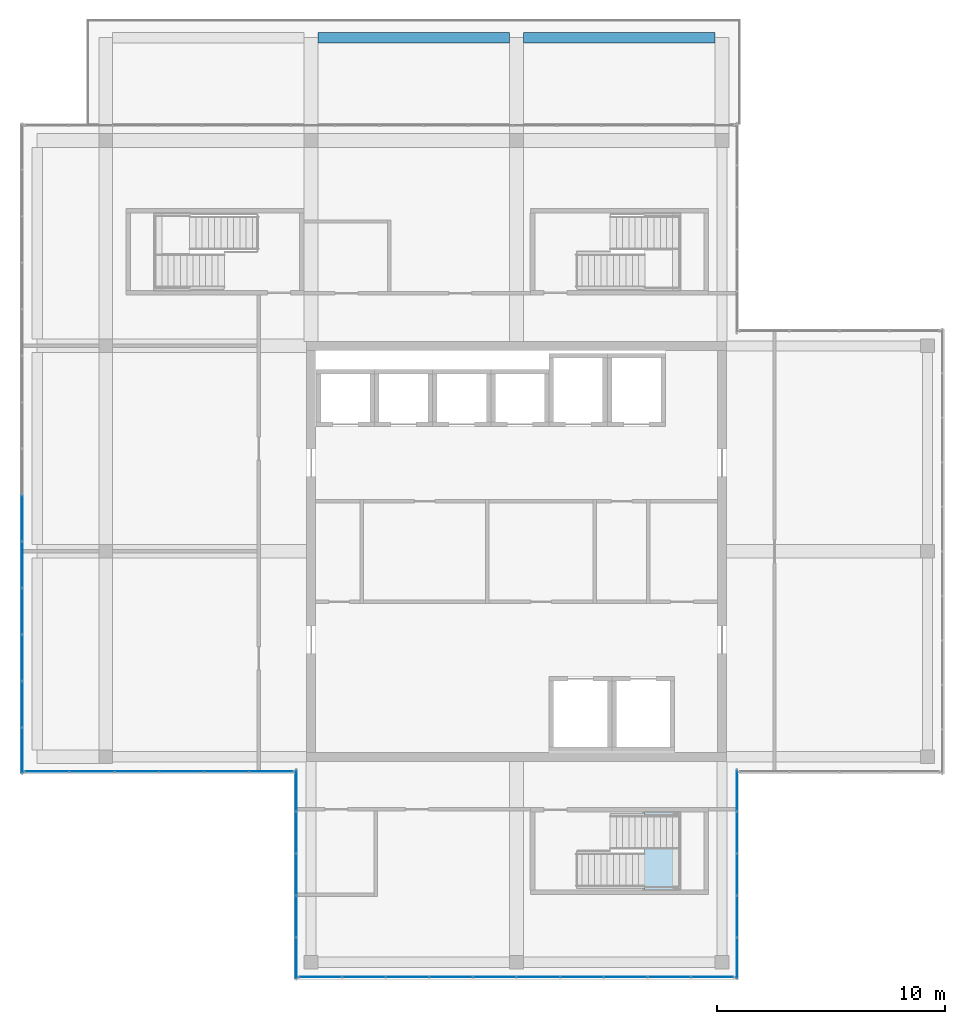
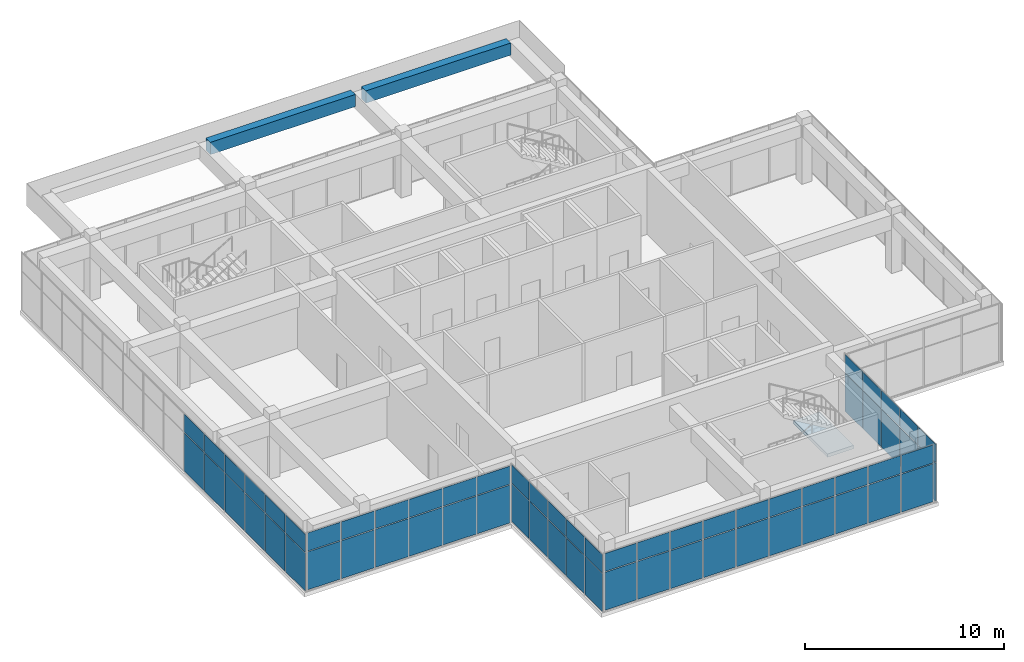
# One storey, part 29 of 35: 64 plates, 2 beams, 1 slab, 6 elements without a shape of their own.
"""IFC4 building model written with IfcOpenShell, lengths in metres."""

from ifc_helpers import new_model, si_unit, direction, frame, origin, origin_2d, place, context, subcontext, project, spatial, polyline, rectangle, outline, extrude, material, layer, layer_set, material_profile, profile_set, type_object, element, aggregate, save


model = new_model("IFC4")

# Units and contexts
model_context = context("Model", 3, precision=1e-05, world=origin(), true_north=direction((0.0, 1.0)))
body_context = subcontext(model_context, "Body", "Model", "MODEL_VIEW")
ifc_project = project(units=[si_unit("LENGTHUNIT", "METRE"), si_unit("AREAUNIT", "SQUARE_METRE"), si_unit("VOLUMEUNIT", "CUBIC_METRE"), si_unit("PLANEANGLEUNIT", "RADIAN"), si_unit("MASSUNIT", "GRAM", prefix="KILO")], contexts=[model_context])

# Site, building, storey
site_placement = place(None, origin())
site = spatial("IfcSite", under=ifc_project, at=site_placement, CompositionType="ELEMENT")
building_placement = place(site_placement, origin())
building = spatial("IfcBuilding", under=site, at=building_placement, Name="Tuart Plaza Theatre", CompositionType="ELEMENT")
storey_placement = place(building_placement, frame((0.0, 0.0, 49.5)))
storey = spatial("IfcBuildingStorey", under=building, at=storey_placement, Name="L12", CompositionType="ELEMENT", Elevation=49.5)

# Beams
ifc_material_1 = material(Name="Concrete N40 (40 MPa)", Category="concrete")
ifc_material_profile = material_profile(ifc_material_1, rectangle(XDim=0.449951171875, YDim=0.75, at=origin_2d()), Name="BEAM 450x750 Concrete N40 (40 MPa)")
ifc_profile_set = profile_set([ifc_material_profile], Name="Concrete N40 (40 MPa)")
beam_type = type_object("IfcBeamType", Name="BEAM 450x750 Concrete N40 (40 MPa)", PredefinedType="BEAM", material=ifc_profile_set)
for number, where, z_axis, x_axis, name in (
    (1, (123.300048828125, 96.5, 3.205078125), (1.0, 0.0, 0.0), (0.0, 1.0, 0.0), "RB314"),
    (2, (132.300048828125, 96.5, 3.205078125), (1.0, 0.0, 0.0), (0.0, 1.0, 0.0), "RB316"),
):
    element("IfcBeam", number, at=place(storey_placement, frame(where, z_axis=z_axis, x_axis=x_axis)), inside=storey, type_object=beam_type, Name=name, PredefinedType="BEAM", context=body_context, shape_type="SweptSolid", body=[
        extrude(rectangle(XDim=0.449951171875, YDim=0.75, at=origin_2d()), origin(), (0.0, 0.0, 1.0), 8.39990234375),
    ])

# Curtain wall, plates
ifc_material_2 = material(Name="Aluminium and glass", Category="aluminium")
ifc_layer_1 = layer(ifc_material_2, 0.10009765625)
ifc_layer_set_1 = layer_set([ifc_layer_1], Name="CURTAIN WALL 2000 module")
curtain_wall_type = type_object("IfcCurtainWallType", Name="CURTAIN WALL 2000 module", PredefinedType="NOTDEFINED", material=ifc_layer_set_1)
curtain_wall_1_placement = place(storey_placement, origin())
curtain_wall_1 = element("IfcCurtainWall", 3, at=curtain_wall_1_placement, inside=storey, type_object=curtain_wall_type, Name="CW100", PredefinedType="NOTDEFINED")
ifc_material_3 = material(Name="Glass", Category="glass")
ifc_layer_2 = layer(ifc_material_3, 0.028076171875)
ifc_layer_set_2 = layer_set([ifc_layer_2], Name="CURTAIN PANEL double glazed 28")
plate_type = type_object("IfcPlateType", Name="CURTAIN PANEL double glazed 28", PredefinedType="CURTAIN_PANEL", material=ifc_layer_set_2)
plate_1_placement = place(storey_placement, frame((141.64990234375, 56.1826171875, 0.0498046875), z_axis=(0.0, 0.0, 1.0), x_axis=(0.0, 1.0, 0.0)))
plate_1 = element("IfcPlate", 4, at=plate_1_placement, type_object=plate_type, Name="CW100 panel 1.1", PredefinedType="CURTAIN_PANEL", context=body_context, shape_type="SweptSolid", body=[
    extrude(rectangle(XDim=1.764892578125, YDim=0.028076171875, at=origin_2d()), origin(), (0.0, 0.0, 1.0), 2.324951171875),
])
plate_2_placement = place(storey_placement, frame((141.64990234375, 56.1826171875, 2.425048828125), z_axis=(0.0, 0.0, 1.0), x_axis=(0.0, 1.0, 0.0)))
plate_2 = element("IfcPlate", 5, at=plate_2_placement, type_object=plate_type, Name="CW100 panel 1.2", PredefinedType="CURTAIN_PANEL", context=body_context, shape_type="SweptSolid", body=[
    extrude(rectangle(XDim=1.764892578125, YDim=0.028076171875, at=origin_2d()), origin(), (0.0, 0.0, 1.0), 1.10498046875),
])
plate_3_placement = place(storey_placement, frame((141.64990234375, 58.010009765625, 0.0498046875), z_axis=(0.0, 0.0, 1.0), x_axis=(0.0, 1.0, 0.0)))
plate_3 = element("IfcPlate", 6, at=plate_3_placement, type_object=plate_type, Name="CW100 panel 2.1", PredefinedType="CURTAIN_PANEL", context=body_context, shape_type="SweptSolid", body=[
    extrude(rectangle(XDim=1.7900390625, YDim=0.028076171875, at=origin_2d()), origin(), (0.0, 0.0, 1.0), 2.324951171875),
])
plate_4_placement = place(storey_placement, frame((141.64990234375, 58.010009765625, 2.425048828125), z_axis=(0.0, 0.0, 1.0), x_axis=(0.0, 1.0, 0.0)))
plate_4 = element("IfcPlate", 7, at=plate_4_placement, type_object=plate_type, Name="CW100 panel 2.2", PredefinedType="CURTAIN_PANEL", context=body_context, shape_type="SweptSolid", body=[
    extrude(rectangle(XDim=1.7900390625, YDim=0.028076171875, at=origin_2d()), origin(), (0.0, 0.0, 1.0), 1.10498046875),
])
plate_5_placement = place(storey_placement, frame((141.64990234375, 59.85009765625, 0.0498046875), z_axis=(0.0, 0.0, 1.0), x_axis=(0.0, 1.0, 0.0)))
plate_5 = element("IfcPlate", 8, at=plate_5_placement, type_object=plate_type, Name="CW100 panel 3.1", PredefinedType="CURTAIN_PANEL", context=body_context, shape_type="SweptSolid", body=[
    extrude(rectangle(XDim=1.7900390625, YDim=0.028076171875, at=origin_2d()), origin(), (0.0, 0.0, 1.0), 2.324951171875),
])
plate_6_placement = place(storey_placement, frame((141.64990234375, 59.85009765625, 2.425048828125), z_axis=(0.0, 0.0, 1.0), x_axis=(0.0, 1.0, 0.0)))
plate_6 = element("IfcPlate", 9, at=plate_6_placement, type_object=plate_type, Name="CW100 panel 3.2", PredefinedType="CURTAIN_PANEL", context=body_context, shape_type="SweptSolid", body=[
    extrude(rectangle(XDim=1.7900390625, YDim=0.028076171875, at=origin_2d()), origin(), (0.0, 0.0, 1.0), 1.10498046875),
])
plate_7_placement = place(storey_placement, frame((141.64990234375, 61.68994140625, 0.0498046875), z_axis=(0.0, 0.0, 1.0), x_axis=(0.0, 1.0, 0.0)))
plate_7 = element("IfcPlate", 10, at=plate_7_placement, type_object=plate_type, Name="CW100 panel 4.1", PredefinedType="CURTAIN_PANEL", context=body_context, shape_type="SweptSolid", body=[
    extrude(rectangle(XDim=1.7900390625, YDim=0.028076171875, at=origin_2d()), origin(), (0.0, 0.0, 1.0), 2.324951171875),
])
plate_8_placement = place(storey_placement, frame((141.64990234375, 61.68994140625, 2.425048828125), z_axis=(0.0, 0.0, 1.0), x_axis=(0.0, 1.0, 0.0)))
plate_8 = element("IfcPlate", 11, at=plate_8_placement, type_object=plate_type, Name="CW100 panel 4.2", PredefinedType="CURTAIN_PANEL", context=body_context, shape_type="SweptSolid", body=[
    extrude(rectangle(XDim=1.7900390625, YDim=0.028076171875, at=origin_2d()), origin(), (0.0, 0.0, 1.0), 1.10498046875),
])
plate_9_placement = place(storey_placement, frame((141.64990234375, 63.517578125, 0.0498046875), z_axis=(0.0, 0.0, 1.0), x_axis=(0.0, 1.0, 0.0)))
plate_9 = element("IfcPlate", 12, at=plate_9_placement, type_object=plate_type, Name="CW100 panel 5.1", PredefinedType="CURTAIN_PANEL", context=body_context, shape_type="SweptSolid", body=[
    extrude(rectangle(XDim=1.764892578125, YDim=0.028076171875, at=origin_2d()), origin(), (0.0, 0.0, 1.0), 2.324951171875),
])
plate_10_placement = place(storey_placement, frame((141.64990234375, 63.517578125, 2.425048828125), z_axis=(0.0, 0.0, 1.0), x_axis=(0.0, 1.0, 0.0)))
plate_10 = element("IfcPlate", 13, at=plate_10_placement, type_object=plate_type, Name="CW100 panel 5.2", PredefinedType="CURTAIN_PANEL", context=body_context, shape_type="SweptSolid", body=[
    extrude(rectangle(XDim=1.764892578125, YDim=0.028076171875, at=origin_2d()), origin(), (0.0, 0.0, 1.0), 1.10498046875),
])
aggregate(curtain_wall_1, [plate_1, plate_2, plate_3, plate_4, plate_5, plate_6, plate_7, plate_8, plate_9, plate_10])

curtain_wall_2_placement = place(storey_placement, origin())
curtain_wall_2 = element("IfcCurtainWall", 14, at=curtain_wall_2_placement, inside=storey, type_object=curtain_wall_type, Name="CW106", PredefinedType="NOTDEFINED")
plate_11_placement = place(storey_placement, frame((110.35009765625, 75.446533203125, 0.0498046875), z_axis=(0.0, 0.0, 1.0), x_axis=(0.0, -1.0, 0.0)))
plate_11 = element("IfcPlate", 15, at=plate_11_placement, type_object=plate_type, Name="CW106 panel 9.1", PredefinedType="CURTAIN_PANEL", context=body_context, shape_type="SweptSolid", body=[
    extrude(rectangle(XDim=1.985595703125, YDim=0.028076171875, at=origin_2d()), origin(), (0.0, 0.0, 1.0), 2.324951171875),
])
plate_12_placement = place(storey_placement, frame((110.35009765625, 75.446533203125, 2.425048828125), z_axis=(0.0, 0.0, 1.0), x_axis=(0.0, -1.0, 0.0)))
plate_12 = element("IfcPlate", 16, at=plate_12_placement, type_object=plate_type, Name="CW106 panel 9.2", PredefinedType="CURTAIN_PANEL", context=body_context, shape_type="SweptSolid", body=[
    extrude(rectangle(XDim=1.985595703125, YDim=0.028076171875, at=origin_2d()), origin(), (0.0, 0.0, 1.0), 1.10498046875),
])
plate_13_placement = place(storey_placement, frame((110.35009765625, 73.41064453125, 0.0498046875), z_axis=(0.0, 0.0, 1.0), x_axis=(0.0, -1.0, 0.0)))
plate_13 = element("IfcPlate", 17, at=plate_13_placement, type_object=plate_type, Name="CW106 panel 10.1", PredefinedType="CURTAIN_PANEL", context=body_context, shape_type="SweptSolid", body=[
    extrude(rectangle(XDim=1.985595703125, YDim=0.028076171875, at=origin_2d()), origin(), (0.0, 0.0, 1.0), 2.324951171875),
])
plate_14_placement = place(storey_placement, frame((110.35009765625, 73.41064453125, 2.425048828125), z_axis=(0.0, 0.0, 1.0), x_axis=(0.0, -1.0, 0.0)))
plate_14 = element("IfcPlate", 18, at=plate_14_placement, type_object=plate_type, Name="CW106 panel 10.2", PredefinedType="CURTAIN_PANEL", context=body_context, shape_type="SweptSolid", body=[
    extrude(rectangle(XDim=1.985595703125, YDim=0.028076171875, at=origin_2d()), origin(), (0.0, 0.0, 1.0), 1.10498046875),
])
plate_15_placement = place(storey_placement, frame((110.35009765625, 71.375, 0.0498046875), z_axis=(0.0, 0.0, 1.0), x_axis=(0.0, -1.0, 0.0)))
plate_15 = element("IfcPlate", 19, at=plate_15_placement, type_object=plate_type, Name="CW106 panel 11.1", PredefinedType="CURTAIN_PANEL", context=body_context, shape_type="SweptSolid", body=[
    extrude(rectangle(XDim=1.985595703125, YDim=0.028076171875, at=origin_2d()), origin(), (0.0, 0.0, 1.0), 2.324951171875),
])
plate_16_placement = place(storey_placement, frame((110.35009765625, 71.375, 2.425048828125), z_axis=(0.0, 0.0, 1.0), x_axis=(0.0, -1.0, 0.0)))
plate_16 = element("IfcPlate", 20, at=plate_16_placement, type_object=plate_type, Name="CW106 panel 11.2", PredefinedType="CURTAIN_PANEL", context=body_context, shape_type="SweptSolid", body=[
    extrude(rectangle(XDim=1.985595703125, YDim=0.028076171875, at=origin_2d()), origin(), (0.0, 0.0, 1.0), 1.10498046875),
])
plate_17_placement = place(storey_placement, frame((110.35009765625, 69.33935546875, 0.0498046875), z_axis=(0.0, 0.0, 1.0), x_axis=(0.0, -1.0, 0.0)))
plate_17 = element("IfcPlate", 21, at=plate_17_placement, type_object=plate_type, Name="CW106 panel 12.1", PredefinedType="CURTAIN_PANEL", context=body_context, shape_type="SweptSolid", body=[
    extrude(rectangle(XDim=1.985595703125, YDim=0.028076171875, at=origin_2d()), origin(), (0.0, 0.0, 1.0), 2.324951171875),
])
plate_18_placement = place(storey_placement, frame((110.35009765625, 69.33935546875, 2.425048828125), z_axis=(0.0, 0.0, 1.0), x_axis=(0.0, -1.0, 0.0)))
plate_18 = element("IfcPlate", 22, at=plate_18_placement, type_object=plate_type, Name="CW106 panel 12.2", PredefinedType="CURTAIN_PANEL", context=body_context, shape_type="SweptSolid", body=[
    extrude(rectangle(XDim=1.985595703125, YDim=0.028076171875, at=origin_2d()), origin(), (0.0, 0.0, 1.0), 1.10498046875),
])
plate_19_placement = place(storey_placement, frame((110.35009765625, 67.303466796875, 0.0498046875), z_axis=(0.0, 0.0, 1.0), x_axis=(0.0, -1.0, 0.0)))
plate_19 = element("IfcPlate", 23, at=plate_19_placement, type_object=plate_type, Name="CW106 panel 13.1", PredefinedType="CURTAIN_PANEL", context=body_context, shape_type="SweptSolid", body=[
    extrude(rectangle(XDim=1.985595703125, YDim=0.028076171875, at=origin_2d()), origin(), (0.0, 0.0, 1.0), 2.324951171875),
])
plate_20_placement = place(storey_placement, frame((110.35009765625, 67.303466796875, 2.425048828125), z_axis=(0.0, 0.0, 1.0), x_axis=(0.0, -1.0, 0.0)))
plate_20 = element("IfcPlate", 24, at=plate_20_placement, type_object=plate_type, Name="CW106 panel 13.2", PredefinedType="CURTAIN_PANEL", context=body_context, shape_type="SweptSolid", body=[
    extrude(rectangle(XDim=1.985595703125, YDim=0.028076171875, at=origin_2d()), origin(), (0.0, 0.0, 1.0), 1.10498046875),
])
plate_21_placement = place(storey_placement, frame((110.35009765625, 65.2802734375, 0.0498046875), z_axis=(0.0, 0.0, 1.0), x_axis=(0.0, -1.0, 0.0)))
plate_21 = element("IfcPlate", 25, at=plate_21_placement, type_object=plate_type, Name="CW106 panel 14.1", PredefinedType="CURTAIN_PANEL", context=body_context, shape_type="SweptSolid", body=[
    extrude(rectangle(XDim=1.960693359375, YDim=0.028076171875, at=origin_2d()), origin(), (0.0, 0.0, 1.0), 2.324951171875),
])
plate_22_placement = place(storey_placement, frame((110.35009765625, 65.2802734375, 2.425048828125), z_axis=(0.0, 0.0, 1.0), x_axis=(0.0, -1.0, 0.0)))
plate_22 = element("IfcPlate", 26, at=plate_22_placement, type_object=plate_type, Name="CW106 panel 14.2", PredefinedType="CURTAIN_PANEL", context=body_context, shape_type="SweptSolid", body=[
    extrude(rectangle(XDim=1.960693359375, YDim=0.028076171875, at=origin_2d()), origin(), (0.0, 0.0, 1.0), 1.10498046875),
])
aggregate(curtain_wall_2, [plate_11, plate_12, plate_13, plate_14, plate_15, plate_16, plate_17, plate_18, plate_19, plate_20, plate_21, plate_22])

curtain_wall_3_placement = place(storey_placement, origin())
curtain_wall_3 = element("IfcCurtainWall", 27, at=curtain_wall_3_placement, inside=storey, type_object=curtain_wall_type, Name="CW108", PredefinedType="NOTDEFINED")
plate_23_placement = place(storey_placement, frame((111.44580078125, 64.35009765625, 0.0498046875), z_axis=(0.0, 0.0, 1.0), x_axis=(1.0, 0.0, 0.0)))
plate_23 = element("IfcPlate", 28, at=plate_23_placement, type_object=plate_type, Name="CW108 panel 1.1", PredefinedType="CURTAIN_PANEL", context=body_context, shape_type="SweptSolid", body=[
    extrude(rectangle(XDim=1.8916015625, YDim=0.028076171875, at=origin_2d()), origin(), (0.0, 0.0, 1.0), 2.324951171875),
])
plate_24_placement = place(storey_placement, frame((111.44580078125, 64.35009765625, 2.425048828125), z_axis=(0.0, 0.0, 1.0), x_axis=(1.0, 0.0, 0.0)))
plate_24 = element("IfcPlate", 29, at=plate_24_placement, type_object=plate_type, Name="CW108 panel 1.2", PredefinedType="CURTAIN_PANEL", context=body_context, shape_type="SweptSolid", body=[
    extrude(rectangle(XDim=1.8916015625, YDim=0.028076171875, at=origin_2d()), origin(), (0.0, 0.0, 1.0), 1.10498046875),
])
plate_25_placement = place(storey_placement, frame((113.39990234375, 64.35009765625, 0.0498046875), z_axis=(0.0, 0.0, 1.0), x_axis=(1.0, 0.0, 0.0)))
plate_25 = element("IfcPlate", 30, at=plate_25_placement, type_object=plate_type, Name="CW108 panel 2.1", PredefinedType="CURTAIN_PANEL", context=body_context, shape_type="SweptSolid", body=[
    extrude(rectangle(XDim=1.916748046875, YDim=0.028076171875, at=origin_2d()), origin(), (0.0, 0.0, 1.0), 2.324951171875),
])
plate_26_placement = place(storey_placement, frame((113.39990234375, 64.35009765625, 2.425048828125), z_axis=(0.0, 0.0, 1.0), x_axis=(1.0, 0.0, 0.0)))
plate_26 = element("IfcPlate", 31, at=plate_26_placement, type_object=plate_type, Name="CW108 panel 2.2", PredefinedType="CURTAIN_PANEL", context=body_context, shape_type="SweptSolid", body=[
    extrude(rectangle(XDim=1.916748046875, YDim=0.028076171875, at=origin_2d()), origin(), (0.0, 0.0, 1.0), 1.10498046875),
])
plate_27_placement = place(storey_placement, frame((115.36669921875, 64.35009765625, 0.0498046875), z_axis=(0.0, 0.0, 1.0), x_axis=(1.0, 0.0, 0.0)))
plate_27 = element("IfcPlate", 32, at=plate_27_placement, type_object=plate_type, Name="CW108 panel 3.1", PredefinedType="CURTAIN_PANEL", context=body_context, shape_type="SweptSolid", body=[
    extrude(rectangle(XDim=1.916748046875, YDim=0.028076171875, at=origin_2d()), origin(), (0.0, 0.0, 1.0), 2.324951171875),
])
plate_28_placement = place(storey_placement, frame((115.36669921875, 64.35009765625, 2.425048828125), z_axis=(0.0, 0.0, 1.0), x_axis=(1.0, 0.0, 0.0)))
plate_28 = element("IfcPlate", 33, at=plate_28_placement, type_object=plate_type, Name="CW108 panel 3.2", PredefinedType="CURTAIN_PANEL", context=body_context, shape_type="SweptSolid", body=[
    extrude(rectangle(XDim=1.916748046875, YDim=0.028076171875, at=origin_2d()), origin(), (0.0, 0.0, 1.0), 1.10498046875),
])
plate_29_placement = place(storey_placement, frame((117.333251953125, 64.35009765625, 0.0498046875), z_axis=(0.0, 0.0, 1.0), x_axis=(1.0, 0.0, 0.0)))
plate_29 = element("IfcPlate", 34, at=plate_29_placement, type_object=plate_type, Name="CW108 panel 4.1", PredefinedType="CURTAIN_PANEL", context=body_context, shape_type="SweptSolid", body=[
    extrude(rectangle(XDim=1.916748046875, YDim=0.028076171875, at=origin_2d()), origin(), (0.0, 0.0, 1.0), 2.324951171875),
])
plate_30_placement = place(storey_placement, frame((117.333251953125, 64.35009765625, 2.425048828125), z_axis=(0.0, 0.0, 1.0), x_axis=(1.0, 0.0, 0.0)))
plate_30 = element("IfcPlate", 35, at=plate_30_placement, type_object=plate_type, Name="CW108 panel 4.2", PredefinedType="CURTAIN_PANEL", context=body_context, shape_type="SweptSolid", body=[
    extrude(rectangle(XDim=1.916748046875, YDim=0.028076171875, at=origin_2d()), origin(), (0.0, 0.0, 1.0), 1.10498046875),
])
plate_31_placement = place(storey_placement, frame((119.300048828125, 64.35009765625, 0.0498046875), z_axis=(0.0, 0.0, 1.0), x_axis=(1.0, 0.0, 0.0)))
plate_31 = element("IfcPlate", 36, at=plate_31_placement, type_object=plate_type, Name="CW108 panel 5.1", PredefinedType="CURTAIN_PANEL", context=body_context, shape_type="SweptSolid", body=[
    extrude(rectangle(XDim=1.916748046875, YDim=0.028076171875, at=origin_2d()), origin(), (0.0, 0.0, 1.0), 2.324951171875),
])
plate_32_placement = place(storey_placement, frame((119.300048828125, 64.35009765625, 2.425048828125), z_axis=(0.0, 0.0, 1.0), x_axis=(1.0, 0.0, 0.0)))
plate_32 = element("IfcPlate", 37, at=plate_32_placement, type_object=plate_type, Name="CW108 panel 5.2", PredefinedType="CURTAIN_PANEL", context=body_context, shape_type="SweptSolid", body=[
    extrude(rectangle(XDim=1.916748046875, YDim=0.028076171875, at=origin_2d()), origin(), (0.0, 0.0, 1.0), 1.10498046875),
])
plate_33_placement = place(storey_placement, frame((121.254150390625, 64.35009765625, 0.0498046875), z_axis=(0.0, 0.0, 1.0), x_axis=(1.0, 0.0, 0.0)))
plate_33 = element("IfcPlate", 38, at=plate_33_placement, type_object=plate_type, Name="CW108 panel 6.1", PredefinedType="CURTAIN_PANEL", context=body_context, shape_type="SweptSolid", body=[
    extrude(rectangle(XDim=1.8916015625, YDim=0.028076171875, at=origin_2d()), origin(), (0.0, 0.0, 1.0), 2.324951171875),
])
plate_34_placement = place(storey_placement, frame((121.254150390625, 64.35009765625, 2.425048828125), z_axis=(0.0, 0.0, 1.0), x_axis=(1.0, 0.0, 0.0)))
plate_34 = element("IfcPlate", 39, at=plate_34_placement, type_object=plate_type, Name="CW108 panel 6.2", PredefinedType="CURTAIN_PANEL", context=body_context, shape_type="SweptSolid", body=[
    extrude(rectangle(XDim=1.8916015625, YDim=0.028076171875, at=origin_2d()), origin(), (0.0, 0.0, 1.0), 1.10498046875),
])
aggregate(curtain_wall_3, [plate_23, plate_24, plate_25, plate_26, plate_27, plate_28, plate_29, plate_30, plate_31, plate_32, plate_33, plate_34])

curtain_wall_4_placement = place(storey_placement, origin())
curtain_wall_4 = element("IfcCurtainWall", 40, at=curtain_wall_4_placement, inside=storey, type_object=curtain_wall_type, Name="CW110", PredefinedType="NOTDEFINED")
plate_35_placement = place(storey_placement, frame((122.35009765625, 63.517578125, 0.0498046875), z_axis=(0.0, 0.0, 1.0), x_axis=(0.0, -1.0, 0.0)))
plate_35 = element("IfcPlate", 41, at=plate_35_placement, type_object=plate_type, Name="CW110 panel 1.1", PredefinedType="CURTAIN_PANEL", context=body_context, shape_type="SweptSolid", body=[
    extrude(rectangle(XDim=1.764892578125, YDim=0.028076171875, at=origin_2d()), origin(), (0.0, 0.0, 1.0), 2.324951171875),
])
plate_36_placement = place(storey_placement, frame((122.35009765625, 63.517578125, 2.425048828125), z_axis=(0.0, 0.0, 1.0), x_axis=(0.0, -1.0, 0.0)))
plate_36 = element("IfcPlate", 42, at=plate_36_placement, type_object=plate_type, Name="CW110 panel 1.2", PredefinedType="CURTAIN_PANEL", context=body_context, shape_type="SweptSolid", body=[
    extrude(rectangle(XDim=1.764892578125, YDim=0.028076171875, at=origin_2d()), origin(), (0.0, 0.0, 1.0), 1.10498046875),
])
plate_37_placement = place(storey_placement, frame((122.35009765625, 61.68994140625, 0.0498046875), z_axis=(0.0, 0.0, 1.0), x_axis=(0.0, -1.0, 0.0)))
plate_37 = element("IfcPlate", 43, at=plate_37_placement, type_object=plate_type, Name="CW110 panel 2.1", PredefinedType="CURTAIN_PANEL", context=body_context, shape_type="SweptSolid", body=[
    extrude(rectangle(XDim=1.7900390625, YDim=0.028076171875, at=origin_2d()), origin(), (0.0, 0.0, 1.0), 2.324951171875),
])
plate_38_placement = place(storey_placement, frame((122.35009765625, 61.68994140625, 2.425048828125), z_axis=(0.0, 0.0, 1.0), x_axis=(0.0, -1.0, 0.0)))
plate_38 = element("IfcPlate", 44, at=plate_38_placement, type_object=plate_type, Name="CW110 panel 2.2", PredefinedType="CURTAIN_PANEL", context=body_context, shape_type="SweptSolid", body=[
    extrude(rectangle(XDim=1.7900390625, YDim=0.028076171875, at=origin_2d()), origin(), (0.0, 0.0, 1.0), 1.10498046875),
])
plate_39_placement = place(storey_placement, frame((122.35009765625, 59.85009765625, 0.0498046875), z_axis=(0.0, 0.0, 1.0), x_axis=(0.0, -1.0, 0.0)))
plate_39 = element("IfcPlate", 45, at=plate_39_placement, type_object=plate_type, Name="CW110 panel 3.1", PredefinedType="CURTAIN_PANEL", context=body_context, shape_type="SweptSolid", body=[
    extrude(rectangle(XDim=1.7900390625, YDim=0.028076171875, at=origin_2d()), origin(), (0.0, 0.0, 1.0), 2.324951171875),
])
plate_40_placement = place(storey_placement, frame((122.35009765625, 59.85009765625, 2.425048828125), z_axis=(0.0, 0.0, 1.0), x_axis=(0.0, -1.0, 0.0)))
plate_40 = element("IfcPlate", 46, at=plate_40_placement, type_object=plate_type, Name="CW110 panel 3.2", PredefinedType="CURTAIN_PANEL", context=body_context, shape_type="SweptSolid", body=[
    extrude(rectangle(XDim=1.7900390625, YDim=0.028076171875, at=origin_2d()), origin(), (0.0, 0.0, 1.0), 1.10498046875),
])
plate_41_placement = place(storey_placement, frame((122.35009765625, 58.010009765625, 0.0498046875), z_axis=(0.0, 0.0, 1.0), x_axis=(0.0, -1.0, 0.0)))
plate_41 = element("IfcPlate", 47, at=plate_41_placement, type_object=plate_type, Name="CW110 panel 4.1", PredefinedType="CURTAIN_PANEL", context=body_context, shape_type="SweptSolid", body=[
    extrude(rectangle(XDim=1.7900390625, YDim=0.028076171875, at=origin_2d()), origin(), (0.0, 0.0, 1.0), 2.324951171875),
])
plate_42_placement = place(storey_placement, frame((122.35009765625, 58.010009765625, 2.425048828125), z_axis=(0.0, 0.0, 1.0), x_axis=(0.0, -1.0, 0.0)))
plate_42 = element("IfcPlate", 48, at=plate_42_placement, type_object=plate_type, Name="CW110 panel 4.2", PredefinedType="CURTAIN_PANEL", context=body_context, shape_type="SweptSolid", body=[
    extrude(rectangle(XDim=1.7900390625, YDim=0.028076171875, at=origin_2d()), origin(), (0.0, 0.0, 1.0), 1.10498046875),
])
plate_43_placement = place(storey_placement, frame((122.35009765625, 56.1826171875, 0.0498046875), z_axis=(0.0, 0.0, 1.0), x_axis=(0.0, -1.0, 0.0)))
plate_43 = element("IfcPlate", 49, at=plate_43_placement, type_object=plate_type, Name="CW110 panel 5.1", PredefinedType="CURTAIN_PANEL", context=body_context, shape_type="SweptSolid", body=[
    extrude(rectangle(XDim=1.764892578125, YDim=0.028076171875, at=origin_2d()), origin(), (0.0, 0.0, 1.0), 2.324951171875),
])
plate_44_placement = place(storey_placement, frame((122.35009765625, 56.1826171875, 2.425048828125), z_axis=(0.0, 0.0, 1.0), x_axis=(0.0, -1.0, 0.0)))
plate_44 = element("IfcPlate", 50, at=plate_44_placement, type_object=plate_type, Name="CW110 panel 5.2", PredefinedType="CURTAIN_PANEL", context=body_context, shape_type="SweptSolid", body=[
    extrude(rectangle(XDim=1.764892578125, YDim=0.028076171875, at=origin_2d()), origin(), (0.0, 0.0, 1.0), 1.10498046875),
])
aggregate(curtain_wall_4, [plate_35, plate_36, plate_37, plate_38, plate_39, plate_40, plate_41, plate_42, plate_43, plate_44])

curtain_wall_5_placement = place(storey_placement, origin())
curtain_wall_5 = element("IfcCurtainWall", 51, at=curtain_wall_5_placement, inside=storey, type_object=curtain_wall_type, Name="CW111", PredefinedType="NOTDEFINED")
plate_45_placement = place(storey_placement, frame((123.41748046875, 55.35009765625, 0.0498046875), z_axis=(0.0, 0.0, 1.0), x_axis=(1.0, 0.0, 0.0)))
plate_45 = element("IfcPlate", 52, at=plate_45_placement, type_object=plate_type, Name="CW111 panel 1.1", PredefinedType="CURTAIN_PANEL", context=body_context, shape_type="SweptSolid", body=[
    extrude(rectangle(XDim=1.8349609375, YDim=0.028076171875, at=origin_2d()), origin(), (0.0, 0.0, 1.0), 2.324951171875),
])
plate_46_placement = place(storey_placement, frame((123.41748046875, 55.35009765625, 2.425048828125), z_axis=(0.0, 0.0, 1.0), x_axis=(1.0, 0.0, 0.0)))
plate_46 = element("IfcPlate", 53, at=plate_46_placement, type_object=plate_type, Name="CW111 panel 1.2", PredefinedType="CURTAIN_PANEL", context=body_context, shape_type="SweptSolid", body=[
    extrude(rectangle(XDim=1.8349609375, YDim=0.028076171875, at=origin_2d()), origin(), (0.0, 0.0, 1.0), 1.10498046875),
])
plate_47_placement = place(storey_placement, frame((125.31494140625, 55.35009765625, 0.0498046875), z_axis=(0.0, 0.0, 1.0), x_axis=(1.0, 0.0, 0.0)))
plate_47 = element("IfcPlate", 54, at=plate_47_placement, type_object=plate_type, Name="CW111 panel 2.1", PredefinedType="CURTAIN_PANEL", context=body_context, shape_type="SweptSolid", body=[
    extrude(rectangle(XDim=1.860107421875, YDim=0.028076171875, at=origin_2d()), origin(), (0.0, 0.0, 1.0), 2.324951171875),
])
plate_48_placement = place(storey_placement, frame((125.31494140625, 55.35009765625, 2.425048828125), z_axis=(0.0, 0.0, 1.0), x_axis=(1.0, 0.0, 0.0)))
plate_48 = element("IfcPlate", 55, at=plate_48_placement, type_object=plate_type, Name="CW111 panel 2.2", PredefinedType="CURTAIN_PANEL", context=body_context, shape_type="SweptSolid", body=[
    extrude(rectangle(XDim=1.860107421875, YDim=0.028076171875, at=origin_2d()), origin(), (0.0, 0.0, 1.0), 1.10498046875),
])
plate_49_placement = place(storey_placement, frame((127.22509765625, 55.35009765625, 0.0498046875), z_axis=(0.0, 0.0, 1.0), x_axis=(1.0, 0.0, 0.0)))
plate_49 = element("IfcPlate", 56, at=plate_49_placement, type_object=plate_type, Name="CW111 panel 3.1", PredefinedType="CURTAIN_PANEL", context=body_context, shape_type="SweptSolid", body=[
    extrude(rectangle(XDim=1.860107421875, YDim=0.028076171875, at=origin_2d()), origin(), (0.0, 0.0, 1.0), 2.324951171875),
])
plate_50_placement = place(storey_placement, frame((127.22509765625, 55.35009765625, 2.425048828125), z_axis=(0.0, 0.0, 1.0), x_axis=(1.0, 0.0, 0.0)))
plate_50 = element("IfcPlate", 57, at=plate_50_placement, type_object=plate_type, Name="CW111 panel 3.2", PredefinedType="CURTAIN_PANEL", context=body_context, shape_type="SweptSolid", body=[
    extrude(rectangle(XDim=1.860107421875, YDim=0.028076171875, at=origin_2d()), origin(), (0.0, 0.0, 1.0), 1.10498046875),
])
plate_51_placement = place(storey_placement, frame((129.135009765625, 55.35009765625, 0.0498046875), z_axis=(0.0, 0.0, 1.0), x_axis=(1.0, 0.0, 0.0)))
plate_51 = element("IfcPlate", 58, at=plate_51_placement, type_object=plate_type, Name="CW111 panel 4.1", PredefinedType="CURTAIN_PANEL", context=body_context, shape_type="SweptSolid", body=[
    extrude(rectangle(XDim=1.860107421875, YDim=0.028076171875, at=origin_2d()), origin(), (0.0, 0.0, 1.0), 2.324951171875),
])
plate_52_placement = place(storey_placement, frame((129.135009765625, 55.35009765625, 2.425048828125), z_axis=(0.0, 0.0, 1.0), x_axis=(1.0, 0.0, 0.0)))
plate_52 = element("IfcPlate", 59, at=plate_52_placement, type_object=plate_type, Name="CW111 panel 4.2", PredefinedType="CURTAIN_PANEL", context=body_context, shape_type="SweptSolid", body=[
    extrude(rectangle(XDim=1.860107421875, YDim=0.028076171875, at=origin_2d()), origin(), (0.0, 0.0, 1.0), 1.10498046875),
])
plate_53_placement = place(storey_placement, frame((131.044921875, 55.35009765625, 0.0498046875), z_axis=(0.0, 0.0, 1.0), x_axis=(1.0, 0.0, 0.0)))
plate_53 = element("IfcPlate", 60, at=plate_53_placement, type_object=plate_type, Name="CW111 panel 5.1", PredefinedType="CURTAIN_PANEL", context=body_context, shape_type="SweptSolid", body=[
    extrude(rectangle(XDim=1.860107421875, YDim=0.028076171875, at=origin_2d()), origin(), (0.0, 0.0, 1.0), 2.324951171875),
])
plate_54_placement = place(storey_placement, frame((131.044921875, 55.35009765625, 2.425048828125), z_axis=(0.0, 0.0, 1.0), x_axis=(1.0, 0.0, 0.0)))
plate_54 = element("IfcPlate", 61, at=plate_54_placement, type_object=plate_type, Name="CW111 panel 5.2", PredefinedType="CURTAIN_PANEL", context=body_context, shape_type="SweptSolid", body=[
    extrude(rectangle(XDim=1.860107421875, YDim=0.028076171875, at=origin_2d()), origin(), (0.0, 0.0, 1.0), 1.10498046875),
])
plate_55_placement = place(storey_placement, frame((132.955078125, 55.35009765625, 0.0498046875), z_axis=(0.0, 0.0, 1.0), x_axis=(1.0, 0.0, 0.0)))
plate_55 = element("IfcPlate", 62, at=plate_55_placement, type_object=plate_type, Name="CW111 panel 6.1", PredefinedType="CURTAIN_PANEL", context=body_context, shape_type="SweptSolid", body=[
    extrude(rectangle(XDim=1.860107421875, YDim=0.028076171875, at=origin_2d()), origin(), (0.0, 0.0, 1.0), 2.324951171875),
])
plate_56_placement = place(storey_placement, frame((132.955078125, 55.35009765625, 2.425048828125), z_axis=(0.0, 0.0, 1.0), x_axis=(1.0, 0.0, 0.0)))
plate_56 = element("IfcPlate", 63, at=plate_56_placement, type_object=plate_type, Name="CW111 panel 6.2", PredefinedType="CURTAIN_PANEL", context=body_context, shape_type="SweptSolid", body=[
    extrude(rectangle(XDim=1.860107421875, YDim=0.028076171875, at=origin_2d()), origin(), (0.0, 0.0, 1.0), 1.10498046875),
])
plate_57_placement = place(storey_placement, frame((134.864990234375, 55.35009765625, 0.0498046875), z_axis=(0.0, 0.0, 1.0), x_axis=(1.0, 0.0, 0.0)))
plate_57 = element("IfcPlate", 64, at=plate_57_placement, type_object=plate_type, Name="CW111 panel 7.1", PredefinedType="CURTAIN_PANEL", context=body_context, shape_type="SweptSolid", body=[
    extrude(rectangle(XDim=1.860107421875, YDim=0.028076171875, at=origin_2d()), origin(), (0.0, 0.0, 1.0), 2.324951171875),
])
plate_58_placement = place(storey_placement, frame((134.864990234375, 55.35009765625, 2.425048828125), z_axis=(0.0, 0.0, 1.0), x_axis=(1.0, 0.0, 0.0)))
plate_58 = element("IfcPlate", 65, at=plate_58_placement, type_object=plate_type, Name="CW111 panel 7.2", PredefinedType="CURTAIN_PANEL", context=body_context, shape_type="SweptSolid", body=[
    extrude(rectangle(XDim=1.860107421875, YDim=0.028076171875, at=origin_2d()), origin(), (0.0, 0.0, 1.0), 1.10498046875),
])
plate_59_placement = place(storey_placement, frame((136.77490234375, 55.35009765625, 0.0498046875), z_axis=(0.0, 0.0, 1.0), x_axis=(1.0, 0.0, 0.0)))
plate_59 = element("IfcPlate", 66, at=plate_59_placement, type_object=plate_type, Name="CW111 panel 8.1", PredefinedType="CURTAIN_PANEL", context=body_context, shape_type="SweptSolid", body=[
    extrude(rectangle(XDim=1.860107421875, YDim=0.028076171875, at=origin_2d()), origin(), (0.0, 0.0, 1.0), 2.324951171875),
])
plate_60_placement = place(storey_placement, frame((136.77490234375, 55.35009765625, 2.425048828125), z_axis=(0.0, 0.0, 1.0), x_axis=(1.0, 0.0, 0.0)))
plate_60 = element("IfcPlate", 67, at=plate_60_placement, type_object=plate_type, Name="CW111 panel 8.2", PredefinedType="CURTAIN_PANEL", context=body_context, shape_type="SweptSolid", body=[
    extrude(rectangle(XDim=1.860107421875, YDim=0.028076171875, at=origin_2d()), origin(), (0.0, 0.0, 1.0), 1.10498046875),
])
plate_61_placement = place(storey_placement, frame((138.68505859375, 55.35009765625, 0.0498046875), z_axis=(0.0, 0.0, 1.0), x_axis=(1.0, 0.0, 0.0)))
plate_61 = element("IfcPlate", 68, at=plate_61_placement, type_object=plate_type, Name="CW111 panel 9.1", PredefinedType="CURTAIN_PANEL", context=body_context, shape_type="SweptSolid", body=[
    extrude(rectangle(XDim=1.860107421875, YDim=0.028076171875, at=origin_2d()), origin(), (0.0, 0.0, 1.0), 2.324951171875),
])
plate_62_placement = place(storey_placement, frame((138.68505859375, 55.35009765625, 2.425048828125), z_axis=(0.0, 0.0, 1.0), x_axis=(1.0, 0.0, 0.0)))
plate_62 = element("IfcPlate", 69, at=plate_62_placement, type_object=plate_type, Name="CW111 panel 9.2", PredefinedType="CURTAIN_PANEL", context=body_context, shape_type="SweptSolid", body=[
    extrude(rectangle(XDim=1.860107421875, YDim=0.028076171875, at=origin_2d()), origin(), (0.0, 0.0, 1.0), 1.10498046875),
])
plate_63_placement = place(storey_placement, frame((140.58251953125, 55.35009765625, 0.0498046875), z_axis=(0.0, 0.0, 1.0), x_axis=(1.0, 0.0, 0.0)))
plate_63 = element("IfcPlate", 70, at=plate_63_placement, type_object=plate_type, Name="CW111 panel 10.1", PredefinedType="CURTAIN_PANEL", context=body_context, shape_type="SweptSolid", body=[
    extrude(rectangle(XDim=1.8349609375, YDim=0.028076171875, at=origin_2d()), origin(), (0.0, 0.0, 1.0), 2.324951171875),
])
plate_64_placement = place(storey_placement, frame((140.58251953125, 55.35009765625, 2.425048828125), z_axis=(0.0, 0.0, 1.0), x_axis=(1.0, 0.0, 0.0)))
plate_64 = element("IfcPlate", 71, at=plate_64_placement, type_object=plate_type, Name="CW111 panel 10.2", PredefinedType="CURTAIN_PANEL", context=body_context, shape_type="SweptSolid", body=[
    extrude(rectangle(XDim=1.8349609375, YDim=0.028076171875, at=origin_2d()), origin(), (0.0, 0.0, 1.0), 1.10498046875),
])
aggregate(curtain_wall_5, [plate_45, plate_46, plate_47, plate_48, plate_49, plate_50, plate_51, plate_52, plate_53, plate_54, plate_55, plate_56, plate_57, plate_58, plate_59, plate_60, plate_61, plate_62, plate_63, plate_64])

# Stair, slab
ifc_material_4 = material(Name="Concrete N40 (40 MPa)", Category="concrete")
stair_type = type_object("IfcStairType", Name="STAIR half turn 1500", PredefinedType="HALF_TURN_STAIR", material=ifc_material_4)
stair_placement = place(storey_placement, origin())
stair = element("IfcStair", 72, at=stair_placement, inside=storey, type_object=stair_type, Name="SC-5", PredefinedType="HALF_TURN_STAIR")
ifc_material_5 = material(Name="Concrete N40 (40 MPa)", Category="concrete")
ifc_layer_3 = layer(ifc_material_5, 0.199951171875)
ifc_layer_set_3 = layer_set([ifc_layer_3], Name="STAIR LANDING 200")
slab_type = type_object("IfcSlabType", Name="STAIR LANDING 200", PredefinedType="LANDING", material=ifc_layer_set_3)
slab_placement = place(storey_placement, frame((0.0, 0.0, 1.800048828125)))
slab = element("IfcSlab", 73, at=slab_placement, type_object=slab_type, Name="SC-5 landing 1", PredefinedType="LANDING", context=body_context, shape_type="SweptSolid", body=[
    extrude(outline(polyline([(137.60009765625, 59.177001953125), (139.1298828125, 59.177001953125), (139.1298828125, 62.572998046875), (137.60009765625, 62.572998046875), (137.60009765625, 59.177001953125)])), origin(), (0.0, 0.0, 1.0), 0.199951171875),
])
aggregate(stair, [slab])

save(model, "model.ifc")
